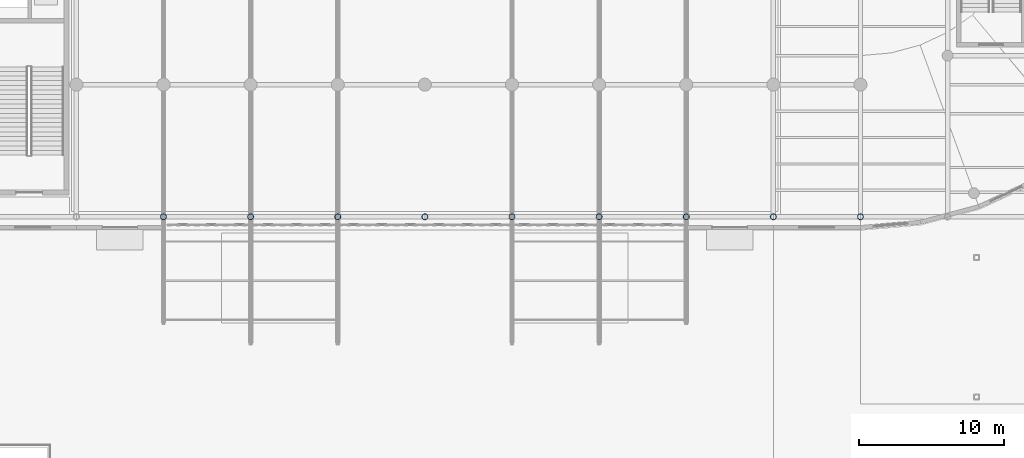
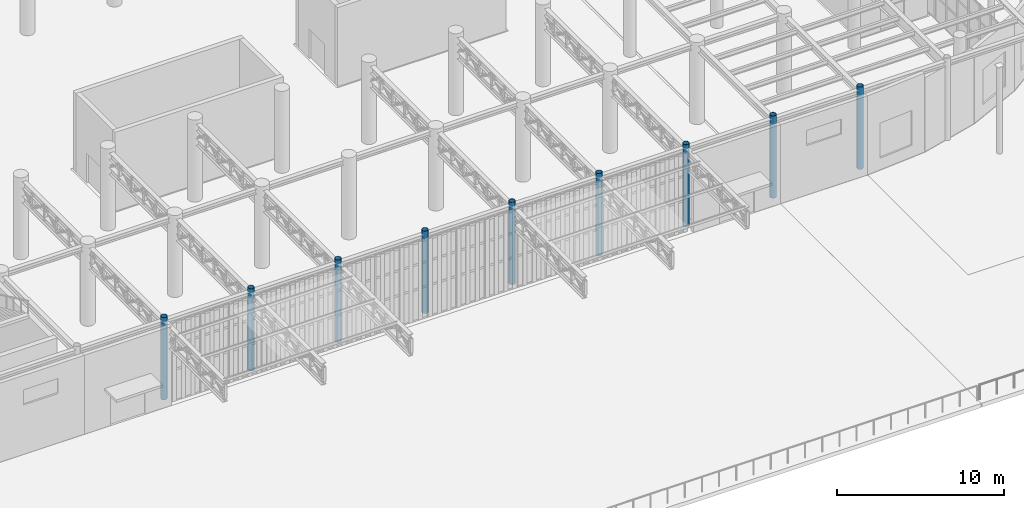
# One storey, part 5 of 118: 9 columns.
"""IFC4 building model written with IfcOpenShell, lengths in metres."""

from ifc_helpers import new_model, si_unit, direction, frame, origin, origin_2d, place, context, subcontext, project, spatial, hollow_circle, extrude, material, material_profile, profile_set, type_object, element, save


model = new_model("IFC4")

# Units and contexts
model_context = context("Model", 3, precision=1e-05, world=origin(), true_north=direction((0.0, 1.0)))
body_context = subcontext(model_context, "Body", "Model", "MODEL_VIEW")
ifc_project = project(units=[si_unit("LENGTHUNIT", "METRE"), si_unit("AREAUNIT", "SQUARE_METRE"), si_unit("VOLUMEUNIT", "CUBIC_METRE"), si_unit("PLANEANGLEUNIT", "RADIAN"), si_unit("MASSUNIT", "GRAM", prefix="KILO")], contexts=[model_context])

# Site, building, storey
site_placement = place(None, origin())
site = spatial("IfcSite", under=ifc_project, at=site_placement, CompositionType="ELEMENT")
building_placement = place(site_placement, origin())
building = spatial("IfcBuilding", under=site, at=building_placement, Name="Kolvaren Corner Interchange", CompositionType="ELEMENT")
storey_placement = place(building_placement, origin())
storey = spatial("IfcBuildingStorey", under=building, at=storey_placement, Name="L01", CompositionType="ELEMENT", Elevation=0.0)

# Columns
ifc_material = material(Name="Steel S355", Category="steel")
ifc_material_profile = material_profile(ifc_material, hollow_circle(Radius=0.203125, WallThickness=0.01611328125, at=origin_2d()), Name="CHS 406.4x16.0")
ifc_profile_set = profile_set([ifc_material_profile], Name="Steel S355")
column_type = type_object("IfcColumnType", Name="COL-CHS406", PredefinedType="COLUMN", material=ifc_profile_set)
for number, where, z_axis, x_axis, name in (
    (1, (72.0, 24.89990234375, 0.0), (0.0, 0.0, 1.0), (1.0, 0.0, 0.0), "Storey L01 Structural Column 0504"),
    (2, (78.0, 24.89990234375, 0.0), (0.0, 0.0, 1.0), (1.0, 0.0, 0.0), "Storey L01 Structural Column 0524"),
    (3, (84.0, 24.89990234375, 0.0), (0.0, 0.0, 1.0), (1.0, 0.0, 0.0), "Storey L01 Structural Column 0544"),
    (4, (90.0, 24.89990234375, 0.0), (0.0, 0.0, 1.0), (1.0, 0.0, 0.0), "Storey L01 Structural Column 0564"),
    (5, (96.0, 24.89990234375, 0.0), (0.0, 0.0, 1.0), (1.0, 0.0, 0.0), "Storey L01 Structural Column 0584"),
    (6, (102.0, 24.89990234375, 0.0), (0.0, 0.0, 1.0), (1.0, 0.0, 0.0), "Storey L01 Structural Column 0604"),
    (7, (108.0, 24.89990234375, 0.0), (0.0, 0.0, 1.0), (1.0, 0.0, 0.0), "Storey L01 Structural Column 0624"),
    (8, (114.0, 24.89990234375, 0.0), (0.0, 0.0, 1.0), (1.0, 0.0, 0.0), "Storey L01 Structural Column 0644"),
    (9, (120.0, 24.89990234375, 0.0), (0.0, 0.0, 1.0), (1.0, 0.0, 0.0), "Storey L01 Structural Column 0664"),
):
    element("IfcColumn", number, at=place(storey_placement, frame(where, z_axis=z_axis, x_axis=x_axis)), inside=storey, type_object=column_type, Name=name, PredefinedType="COLUMN", context=body_context, shape_type="SweptSolid", body=[
        extrude(hollow_circle(Radius=0.203125, WallThickness=0.01611328125, at=origin_2d()), origin(), (0.0, 0.0, 1.0), 6.0),
    ])

save(model, "model.ifc")
